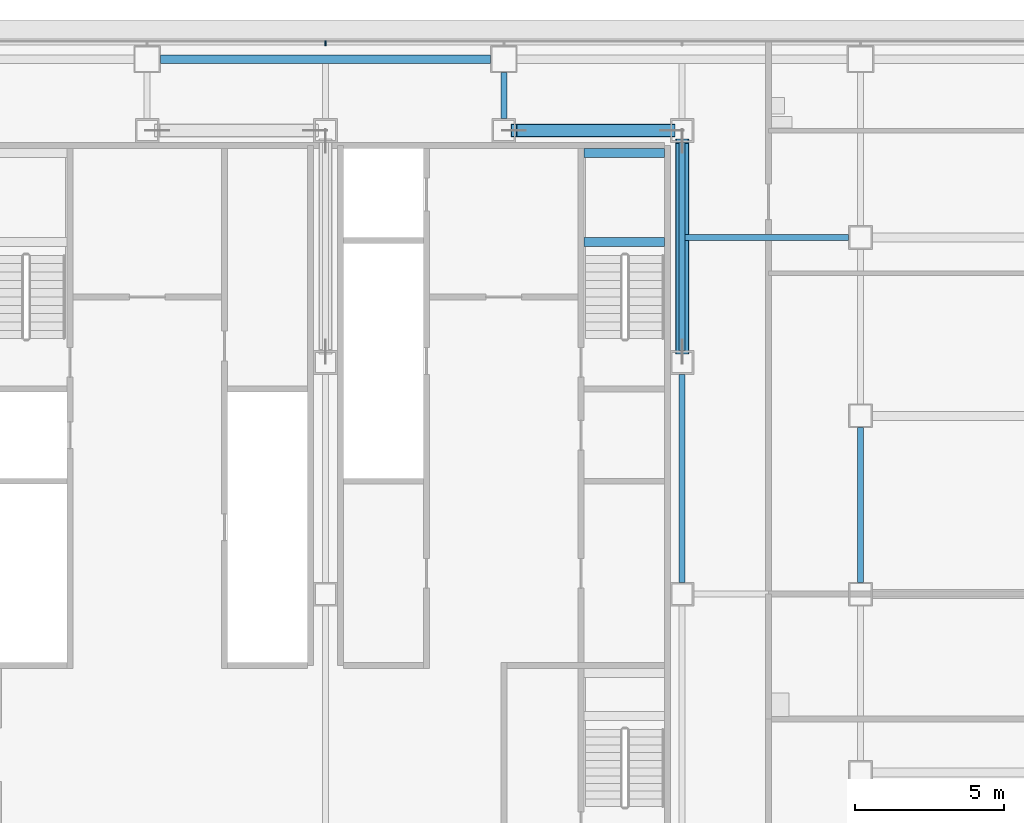
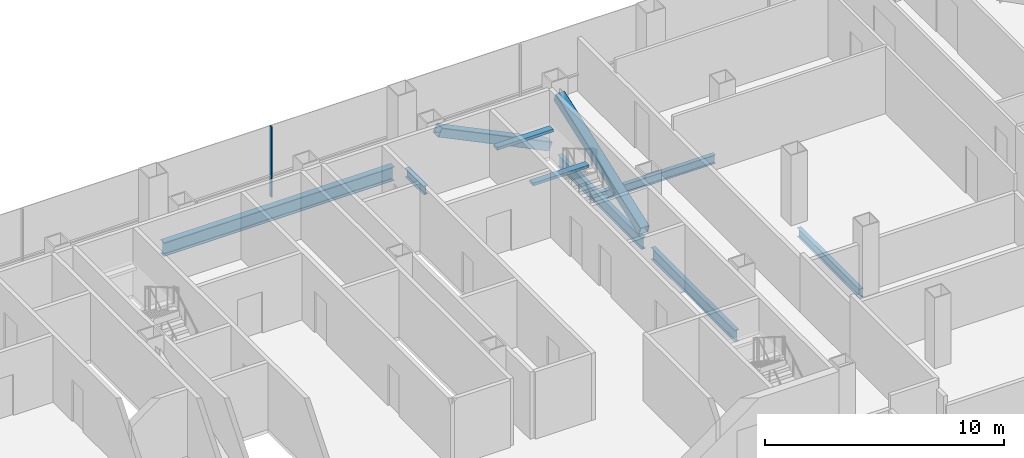
# One storey, part 13 of 26: 8 beams, 3 members, 1 element without a shape of its own.
"""IFC4 building model written with IfcOpenShell, lengths in metres."""

from ifc_helpers import new_model, si_unit, direction, frame, origin, origin_2d, place, context, subcontext, project, spatial, rectangle, hollow_rectangle, i_section, extrude, material, material_profile, profile_set, type_object, element, aggregate, save


model = new_model("IFC4")

# Units and contexts
model_context = context("Model", 3, precision=1e-05, world=origin(), true_north=direction((0.0, 1.0)))
body_context = subcontext(model_context, "Body", "Model", "MODEL_VIEW")
ifc_project = project(units=[si_unit("LENGTHUNIT", "METRE"), si_unit("AREAUNIT", "SQUARE_METRE"), si_unit("VOLUMEUNIT", "CUBIC_METRE"), si_unit("PLANEANGLEUNIT", "RADIAN"), si_unit("MASSUNIT", "GRAM", prefix="KILO")], contexts=[model_context])

# Site, building, storey
site_placement = place(None, origin())
site = spatial("IfcSite", under=ifc_project, at=site_placement, CompositionType="ELEMENT")
building_placement = place(site_placement, origin())
building = spatial("IfcBuilding", under=site, at=building_placement, Name="Sorahane Residences", CompositionType="ELEMENT")
storey_placement = place(building_placement, frame((0.0, 0.0, 67.800048828125)))
storey = spatial("IfcBuildingStorey", under=building, at=storey_placement, Name="L13", CompositionType="ELEMENT", Elevation=67.800048828125)

# Members
ifc_material_1 = material(Name="Steel Q355B", Category="steel")
ifc_material_profile_1 = material_profile(ifc_material_1, hollow_rectangle(XDim=0.449951171875, YDim=0.449951171875, WallThickness=0.02197265625, InnerFilletRadius=0.010986328125, OuterFilletRadius=0.032958984375, at=origin_2d()), Name="RHS 450x450x22")
ifc_profile_set_1 = profile_set([ifc_material_profile_1], Name="Steel Q355B")
member_type_1 = type_object("IfcMemberType", Name="Core brace RHS 450x450x22 Q355B", PredefinedType="BRACE", material=ifc_profile_set_1)
member_1_placement = place(storey_placement, frame((41.658935546875, 45.60009765625, 0.196533203125), z_axis=(-0.899910905173, 0.0, 0.436073804247), x_axis=(0.0, -1.0, 0.0)))
element("IfcMember", 1, at=member_1_placement, inside=storey, type_object=member_type_1, Name="Core brace L13 y45.6-6", PredefinedType="BRACE", context=body_context, shape_type="SweptSolid", body=[
    extrude(hollow_rectangle(XDim=0.449951171875, YDim=0.449951171875, WallThickness=0.02197265625, InnerFilletRadius=0.010986328125, OuterFilletRadius=0.032958984375, at=origin_2d()), origin(), (0.0, 0.0, 1.0), 5.909423828125),
])
member_2_placement = place(storey_placement, frame((42.0, 38.154296875, 0.20849609375), z_axis=(0.0, 0.940882869443, 0.338732085856), x_axis=(-1.0, 0.0, 0.0)))
element("IfcMember", 2, at=member_2_placement, inside=storey, type_object=member_type_1, Name="Core brace L13 x42-3", PredefinedType="BRACE", context=body_context, shape_type="SweptSolid", body=[
    extrude(hollow_rectangle(XDim=0.449951171875, YDim=0.449951171875, WallThickness=0.02197265625, InnerFilletRadius=0.010986328125, OuterFilletRadius=0.032958984375, at=origin_2d()), origin(), (0.0, 0.0, 1.0), 7.536865234375),
])

# Curtain wall, member
ifc_material_2 = material(Name="Dark low-e glass and black anodised aluminium", Category="aluminium")
curtain_wall_type = type_object("IfcCurtainWallType", Name="Curtain wall CW-1 Typical unitised wall", PredefinedType="NOTDEFINED", material=ifc_material_2)
curtain_wall_placement = place(storey_placement, origin())
curtain_wall = element("IfcCurtainWall", 3, at=curtain_wall_placement, inside=storey, type_object=curtain_wall_type, Name="CW-1 curtain wall L13 N1", PredefinedType="NOTDEFINED")
ifc_material_3 = material(Name="Black anodised aluminium", Category="aluminium")
ifc_material_profile_2 = material_profile(ifc_material_3, rectangle(XDim=0.159912109375, YDim=0.050048828125, at=origin_2d()), Name="Curtain wall mullion CW-1 black anodised aluminium 50x160")
ifc_profile_set_2 = profile_set([ifc_material_profile_2], Name="Black anodised aluminium")
member_type_2 = type_object("IfcMemberType", Name="Curtain wall mullion CW-1 black anodised aluminium 50x160", PredefinedType="MULLION", material=ifc_profile_set_2)
member_3_placement = place(storey_placement, frame((30.0, 48.5400390625, -0.179931640625), z_axis=(0.0, 0.0, 1.0), x_axis=(0.0, 1.0, 0.0)))
member_3 = element("IfcMember", 4, at=member_3_placement, type_object=member_type_2, Name="CW-1 mullion L13 N1.6", PredefinedType="MULLION", context=body_context, shape_type="SweptSolid", body=[
    extrude(rectangle(XDim=0.159912109375, YDim=0.050048828125, at=origin_2d()), origin(), (0.0, 0.0, 1.0), 3.599853515625),
])
aggregate(curtain_wall, [member_3])

# Beams
ifc_material_4 = material(Name="Concrete C40", Category="concrete")
ifc_material_profile_3 = material_profile(ifc_material_4, rectangle(XDim=0.300048828125, YDim=0.139892578125, at=origin_2d()), Name="300x140")
ifc_profile_set_3 = profile_set([ifc_material_profile_3], Name="Concrete C40")
beam_type_1 = type_object("IfcBeamType", Name="RC landing beam 300 x 140 Concrete C40", PredefinedType="BEAM", material=ifc_profile_set_3)
for number, where, z_axis, x_axis, name in (
    (5, (38.699951171875, 41.85009765625, 1.530029296875), (1.0, 0.0, 0.0), (0.0, 1.0, 0.0), "Landing beam"),
    (6, (38.699951171875, 44.85009765625, 1.530029296875), (1.0, 0.0, 0.0), (0.0, 1.0, 0.0), "Landing beam"),
):
    element("IfcBeam", number, at=place(storey_placement, frame(where, z_axis=z_axis, x_axis=x_axis)), inside=storey, type_object=beam_type_1, Name=name, PredefinedType="BEAM", context=body_context, shape_type="SweptSolid", body=[
        extrude(rectangle(XDim=0.300048828125, YDim=0.139892578125, at=origin_2d()), origin(), (0.0, 0.0, 1.0), 2.699951171875),
    ])
ifc_material_5 = material(Name="Steel Q355B", Category="steel")
ifc_material_profile_4 = material_profile(ifc_material_5, i_section(OverallWidth=0.199951171875, OverallDepth=0.449951171875, WebThickness=0.009033203125, FlangeThickness=0.013916015625, FilletRadius=0.02001953125, at=origin_2d()), Name="HN 450x200x9x14")
ifc_profile_set_4 = profile_set([ifc_material_profile_4], Name="Steel Q355B")
beam_type_2 = type_object("IfcBeamType", Name="Steel floor beam HN 450x200x9x14 Q355B", PredefinedType="BEAM", material=ifc_profile_set_4)
beam_1_placement = place(storey_placement, frame((36.0, 46.0, -0.405029296875), z_axis=(0.0, 1.0, 0.0), x_axis=(-1.0, 0.0, 0.0)))
element("IfcBeam", 7, at=beam_1_placement, inside=storey, type_object=beam_type_2, Name="Beam L13 044", PredefinedType="BEAM", context=body_context, shape_type="SweptSolid", body=[
    extrude(i_section(OverallWidth=0.199951171875, OverallDepth=0.449951171875, WebThickness=0.009033203125, FlangeThickness=0.013916015625, FilletRadius=0.02001953125, at=origin_2d()), origin(), (0.0, 0.0, 1.0), 1.550048828125),
])
beam_2_placement = place(storey_placement, frame((48.0, 30.39990234375, -0.405029296875), z_axis=(0.0, 1.0, 0.0), x_axis=(-1.0, 0.0, 0.0)))
element("IfcBeam", 8, at=beam_2_placement, inside=storey, type_object=beam_type_2, Name="Beam L13 054", PredefinedType="BEAM", context=body_context, shape_type="SweptSolid", body=[
    extrude(i_section(OverallWidth=0.199951171875, OverallDepth=0.449951171875, WebThickness=0.009033203125, FlangeThickness=0.013916015625, FilletRadius=0.02001953125, at=origin_2d()), origin(), (0.0, 0.0, 1.0), 5.2001953125),
])
beam_3_placement = place(storey_placement, frame((42.10009765625, 42.0, -0.405029296875), z_axis=(1.0, 0.0, 0.0), x_axis=(0.0, 1.0, 0.0)))
element("IfcBeam", 9, at=beam_3_placement, inside=storey, type_object=beam_type_2, Name="Beam L13 080", PredefinedType="BEAM", context=body_context, shape_type="SweptSolid", body=[
    extrude(i_section(OverallWidth=0.199951171875, OverallDepth=0.449951171875, WebThickness=0.009033203125, FlangeThickness=0.013916015625, FilletRadius=0.02001953125, at=origin_2d()), origin(), (0.0, 0.0, 1.0), 5.5),
])
ifc_material_6 = material(Name="Steel Q355B", Category="steel")
ifc_material_profile_5 = material_profile(ifc_material_6, i_section(OverallWidth=0.199951171875, OverallDepth=0.60009765625, WebThickness=0.010986328125, FlangeThickness=0.01708984375, FilletRadius=0.02392578125, at=origin_2d()), Name="HN 600x200x11x17")
ifc_profile_set_5 = profile_set([ifc_material_profile_5], Name="Steel Q355B")
beam_type_3 = type_object("IfcBeamType", Name="Steel floor beam HN 600x200x11x17 Q355B", PredefinedType="BEAM", material=ifc_profile_set_5)
for number, where, z_axis, x_axis, name in (
    (10, (42.0, 30.39990234375, -0.47998046875), (0.0, 1.0, 0.0), (-1.0, 0.0, 0.0), "Beam L13 048"),
    (11, (42.0, 38.199951171875, -0.47998046875), (0.0, 1.0, 0.0), (-1.0, 0.0, 0.0), "Beam L13 049"),
):
    element("IfcBeam", number, at=place(storey_placement, frame(where, z_axis=z_axis, x_axis=x_axis)), inside=storey, type_object=beam_type_3, Name=name, PredefinedType="BEAM", context=body_context, shape_type="SweptSolid", body=[
        extrude(i_section(OverallWidth=0.199951171875, OverallDepth=0.60009765625, WebThickness=0.010986328125, FlangeThickness=0.01708984375, FilletRadius=0.02392578125, at=origin_2d()), origin(), (0.0, 0.0, 1.0), 7.0),
    ])
ifc_material_7 = material(Name="Steel Q355B", Category="steel")
ifc_material_profile_6 = material_profile(ifc_material_7, i_section(OverallWidth=0.300048828125, OverallDepth=0.699951171875, WebThickness=0.012939453125, FlangeThickness=0.02392578125, FilletRadius=0.028076171875, at=origin_2d()), Name="HN 700x300x13x24")
ifc_profile_set_6 = profile_set([ifc_material_profile_6], Name="Steel Q355B")
beam_type_4 = type_object("IfcBeamType", Name="Steel floor beam HN 700x300x13x24 Q355B", PredefinedType="BEAM", material=ifc_profile_set_6)
beam_4_placement = place(storey_placement, frame((24.449951171875, 48.0, -0.530029296875), z_axis=(1.0, 0.0, 0.0), x_axis=(0.0, 1.0, 0.0)))
element("IfcBeam", 12, at=beam_4_placement, inside=storey, type_object=beam_type_4, Name="Beam L13 014", PredefinedType="BEAM", context=body_context, shape_type="SweptSolid", body=[
    extrude(i_section(OverallWidth=0.300048828125, OverallDepth=0.699951171875, WebThickness=0.012939453125, FlangeThickness=0.02392578125, FilletRadius=0.028076171875, at=origin_2d()), origin(), (0.0, 0.0, 1.0), 11.10009765625),
])

save(model, "model.ifc")
